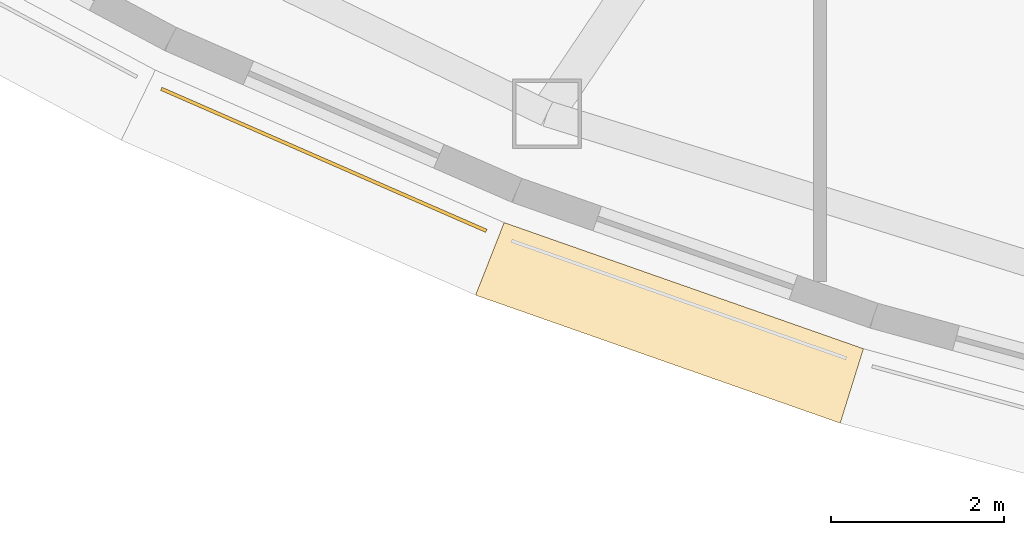
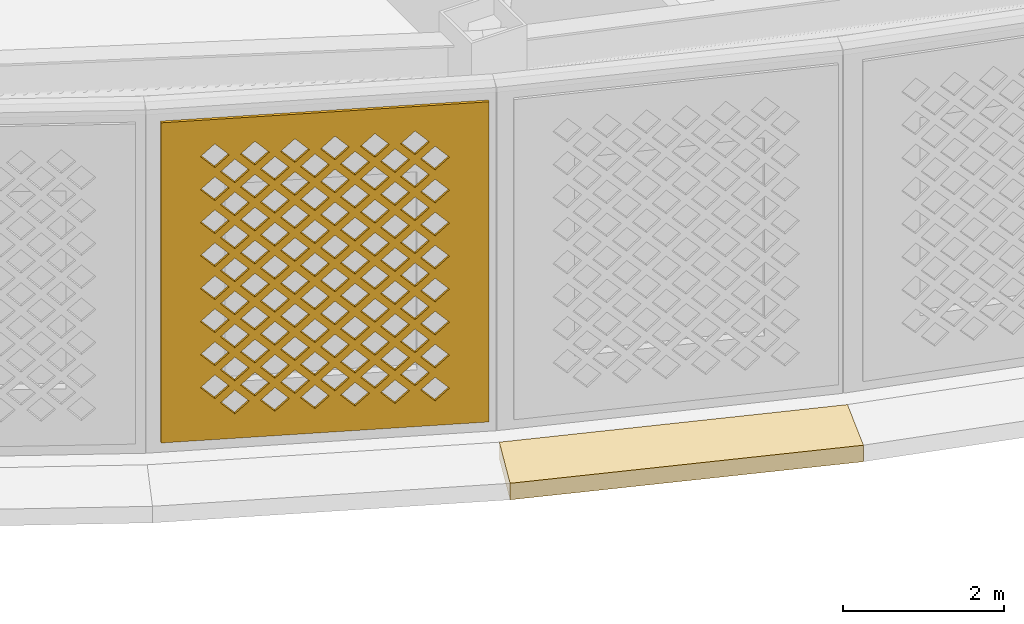
# One storey, part 41 of 63: 2 coverings.
"""IFC4 building model written with IfcOpenShell, lengths in metres."""

import ifcopenshell
import ifcopenshell.guid

model = None  # the IFC model being written
_history = None  # IfcOwnerHistory: only IFC2X3 demands one
_inside = {}  # id of a spatial element -> (the spatial element, [elements in it])
_under = {}  # id of a project, library or spatial element -> (it, [spatial elements below it])
_declared = {}  # id of a project -> (the project, [libraries it declares])
_typed = {}  # id of a type object -> (the type object, [elements of that type])
_made_of = {}  # id of a material, layer set ... -> (it, [elements and type objects made of it])


def new_model(schema):
    """Start an empty IFC model of exactly this schema.

    Asked for "IFC4X3", IfcOpenShell would pick the latest addendum, in which some entities
    have other attributes; the version numbers below select the first issue.
    IFC2X3 requires an IfcOwnerHistory on every rooted entity: one is made here for all.
    """
    global model, _history
    if schema == "IFC4X3":
        model = ifcopenshell.file(schema_version=(4, 3, 0, 0))
    else:
        model = ifcopenshell.file(schema=schema)
    _inside.clear()
    _under.clear()
    _declared.clear()
    _typed.clear()
    _made_of.clear()
    _history = None
    if model.schema == "IFC2X3":
        org = make("IfcOrganization", Name="unknown")
        user = make(
            "IfcPersonAndOrganization",
            ThePerson=make("IfcPerson", FamilyName="unknown"),
            TheOrganization=org,
        )
        app = make(
            "IfcApplication",
            ApplicationDeveloper=org,
            Version="unknown",
            ApplicationFullName="unknown",
            ApplicationIdentifier="unknown",
        )
        _history = make(
            "IfcOwnerHistory",
            OwningUser=user,
            OwningApplication=app,
            ChangeAction="ADDED",
            CreationDate=0,
        )
    return model


def make(cls, **values):
    """One entity of the class cls with the attributes given. An attribute that is None is left unset."""
    return model.create_entity(
        cls, **{name: value for name, value in values.items() if value is not None}
    )


def rooted(cls, **values):
    """An entity with a GlobalId (a new one), such as an element, a storey or a relation."""
    return make(cls, GlobalId=ifcopenshell.guid.new(), OwnerHistory=_history, **values)


def si_unit(unit_type, name, prefix=None):
    """IfcSIUnit, for example si_unit("LENGTHUNIT", "METRE", prefix="MILLI")."""
    return make("IfcSIUnit", UnitType=unit_type, Prefix=prefix, Name=name)


def assignment(units):
    """IfcUnitAssignment: the units of a project."""
    return None if units is None else make("IfcUnitAssignment", Units=units)


def point(xyz):
    """IfcCartesianPoint."""
    return None if xyz is None else make("IfcCartesianPoint", Coordinates=xyz)


def direction(xyz):
    """IfcDirection."""
    return None if xyz is None else make("IfcDirection", DirectionRatios=xyz)


def frame(location, z_axis=None, x_axis=None):
    """IfcAxis2Placement3D, a coordinate frame: its origin and axes. An axis left out is left unset."""
    return make(
        "IfcAxis2Placement3D",
        Location=point(location),
        Axis=direction(z_axis),
        RefDirection=direction(x_axis),
    )


def origin():
    """The frame at (0, 0, 0) with its axes left unset."""
    return frame((0.0, 0.0, 0.0))


def place(relative_to, where):
    """IfcLocalPlacement: puts the frame where relative to a parent placement (None: the world)."""
    return make(
        "IfcLocalPlacement", PlacementRelTo=relative_to, RelativePlacement=where
    )


def context(
    kind, dimensions, precision=None, world=None, true_north=None, identifier=None
):
    """IfcGeometricRepresentationContext, for example the 3D "Model" context."""
    return make(
        "IfcGeometricRepresentationContext",
        ContextIdentifier=identifier,
        ContextType=kind,
        CoordinateSpaceDimension=dimensions,
        Precision=precision,
        WorldCoordinateSystem=world,
        TrueNorth=true_north,
    )


def subcontext(parent, identifier, kind, view, scale=None):
    """IfcGeometricRepresentationSubContext, for example "Body" below "Model"."""
    return make(
        "IfcGeometricRepresentationSubContext",
        ContextIdentifier=identifier,
        ContextType=kind,
        ParentContext=parent,
        TargetScale=scale,
        TargetView=view,
    )


def project(units=None, contexts=None):
    """IfcProject with its units and contexts."""
    return rooted(
        "IfcProject",
        Name="project",
        RepresentationContexts=contexts,
        UnitsInContext=assignment(units),
    )


def spatial(cls, under=None, at=None, **own):
    """A site, building, storey or space (cls), placed at a placement, below another one or the project."""
    s = rooted(cls, ObjectPlacement=at, **own)
    if under is not None:
        _under.setdefault(under.id(), (under, []))[1].append(s)
    return s


def polyline(points):
    """IfcPolyline through the points."""
    return make("IfcPolyline", Points=[point(p) for p in points])


def outline(outer, holes=None, kind="AREA"):
    """IfcArbitraryClosedProfileDef: a profile drawn as a closed curve; with holes, ...WithVoids."""
    if holes is None:
        return make("IfcArbitraryClosedProfileDef", ProfileType=kind, OuterCurve=outer)
    return make(
        "IfcArbitraryProfileDefWithVoids",
        ProfileType=kind,
        OuterCurve=outer,
        InnerCurves=holes,
    )


def extrude(swept, where, along, depth):
    """IfcExtrudedAreaSolid: the profile swept, set in the frame where, extruded along a direction by depth."""
    return make(
        "IfcExtrudedAreaSolid",
        SweptArea=swept,
        Position=where,
        ExtrudedDirection=direction(along),
        Depth=depth,
    )


def shape(context_of_items, identifier, shape_type, items):
    """IfcShapeRepresentation: the items that make up one representation, for example the "Body"."""
    return make(
        "IfcShapeRepresentation",
        ContextOfItems=context_of_items,
        RepresentationIdentifier=identifier,
        RepresentationType=shape_type,
        Items=items,
    )


def material(Name=None, Category=None):
    """IfcMaterial."""
    return make("IfcMaterial", Name=Name, Category=Category)


def layer(
    of_material, thickness, ventilated=None, Name=None, Category=None, Priority=None
):
    """IfcMaterialLayer: one layer of a wall or slab, of a material (None: an air gap)."""
    return make(
        "IfcMaterialLayer",
        Material=of_material,
        LayerThickness=thickness,
        IsVentilated=ventilated,
        Name=Name,
        Category=Category,
        Priority=Priority,
    )


def layer_set(layers, Name=None):
    """IfcMaterialLayerSet."""
    return make("IfcMaterialLayerSet", MaterialLayers=layers, LayerSetName=Name)


def made_of(thing, what):
    """Note that an element or type object is made of a material, layer set ...; save() writes the relation."""
    if what is not None:
        _made_of.setdefault(what.id(), (what, []))[1].append(thing)
    return thing


def type_object(cls, material=None, **own):
    """A type object (cls), such as IfcWallType, which elements share."""
    return made_of(rooted(cls, **own), material)


def element(
    cls,
    number,
    at=None,
    inside=None,
    cuts=None,
    type_object=None,
    material=None,
    context=None,
    identifier="Body",
    shape_type=None,
    held_by="IfcProductDefinitionShape",
    body=None,
    shapes=None,
    **own,
):
    """One element of the class cls, such as IfcWall. Its Tag is "e" and its number.

    at: its placement. inside: the storey or other place that contains it. cuts: it is an
    opening in that element (IfcRelVoidsElement). A single representation is given by context,
    identifier, shape_type and body (its items); several are given by shapes. held_by: the class
    of the entity that holds the representations. save() writes the other relations.
    """
    e = rooted(cls, Tag="e%d" % number, ObjectPlacement=at, **own)
    if body is not None:
        shapes = [shape(context, identifier, shape_type, body)]
    if shapes is not None:
        e.Representation = make(held_by, Representations=shapes)
    if inside is not None:
        _inside.setdefault(inside.id(), (inside, []))[1].append(e)
    if cuts is not None:
        rooted(
            "IfcRelVoidsElement", RelatingBuildingElement=cuts, RelatedOpeningElement=e
        )
    if type_object is not None:
        _typed.setdefault(type_object.id(), (type_object, []))[1].append(e)
    return made_of(e, material)


def aggregate(whole, parts):
    """IfcRelAggregates: a whole, such as a stair, and the parts it consists of."""
    return rooted("IfcRelAggregates", RelatingObject=whole, RelatedObjects=parts)


def save(model, path):
    """Write the relations noted so far, then the file.

    IfcRelAggregates (storeys below a building ...), IfcRelContainedInSpatialStructure (elements
    in a storey), IfcRelDefinesByType, IfcRelAssociatesMaterial and IfcRelDeclares: one each for
    every whole, place, type object, material and project.
    """
    for whole, parts in _under.values():
        aggregate(whole, parts)
    for where, things in _inside.values():
        rooted(
            "IfcRelContainedInSpatialStructure",
            RelatedElements=things,
            RelatingStructure=where,
        )
    for kind, things in _typed.values():
        rooted("IfcRelDefinesByType", RelatedObjects=things, RelatingType=kind)
    for what, things in _made_of.values():
        rooted("IfcRelAssociatesMaterial", RelatedObjects=things, RelatingMaterial=what)
    for by, libraries in _declared.values():
        rooted("IfcRelDeclares", RelatingContext=by, RelatedDefinitions=libraries)
    model.write(path)


model = new_model("IFC4")

# Units and contexts
model_context = context("Model", 3, precision=1e-05, world=origin(), true_north=direction((0.0, 1.0)))
body_context = subcontext(model_context, "Body", "Model", "MODEL_VIEW")
ifc_project = project(units=[si_unit("LENGTHUNIT", "METRE"), si_unit("AREAUNIT", "SQUARE_METRE"), si_unit("VOLUMEUNIT", "CUBIC_METRE"), si_unit("PLANEANGLEUNIT", "RADIAN"), si_unit("MASSUNIT", "GRAM", prefix="KILO")], contexts=[model_context])

# Site, building, storey
site_placement = place(None, origin())
site = spatial("IfcSite", under=ifc_project, at=site_placement, CompositionType="ELEMENT")
building_placement = place(site_placement, origin())
building = spatial("IfcBuilding", under=site, at=building_placement, Name="Noorbagh Ring Tower", CompositionType="ELEMENT")
storey_placement = place(building_placement, frame((0.0, 0.0, 25.0)))
storey = spatial("IfcBuildingStorey", under=building, at=storey_placement, Name="L04", CompositionType="ELEMENT", Elevation=25.0)

# Coverings
ifc_material_1 = material(Name="Red sandstone eave", Category="masonry")
covering_type_1 = type_object("IfcCoveringType", Name="STY-CHHAJJA", PredefinedType="USERDEFINED", material=ifc_material_1)
covering_1_placement = place(storey_placement, frame((0.0, 0.0, -0.25)))
element("IfcCovering", 1, at=covering_1_placement, inside=storey, type_object=covering_type_1, Name="Chhajja eave", ObjectType="CHHAJJA", PredefinedType="USERDEFINED", context=body_context, shape_type="SweptSolid", body=[
    extrude(outline(polyline([(-23.647216796875, -35.624755859375), (-19.49853515625, -37.081298828125), (-19.7666015625, -37.941162109375), (-23.976806640625, -36.462890625), (-23.647216796875, -35.624755859375)])), origin(), (0.0, 0.0, 1.0), 0.25),
])
ifc_material_2 = material(Name="Red sandstone jali", Category="masonry")
ifc_layer = layer(ifc_material_2, 0.0400390625)
ifc_layer_set = layer_set([ifc_layer], Name="Red sandstone jali")
covering_type_2 = type_object("IfcCoveringType", Name="STY-JALI", PredefinedType="USERDEFINED", material=ifc_layer_set)
covering_2_placement = place(storey_placement, frame((-27.614501953125, -34.09814453125, 0.449951171875), z_axis=(-0.400468668207, -0.916310452731, 0.0), x_axis=(0.916310452731, -0.400468668207, 0.0)))
element("IfcCovering", 2, at=covering_2_placement, inside=storey, type_object=covering_type_2, Name="Jali screen", ObjectType="SCREEN", PredefinedType="USERDEFINED", context=body_context, shape_type="SweptSolid", body=[
    extrude(outline(polyline([(0.0, 0.0), (4.0966796875, 0.0), (4.0966796875, 4.85009765625), (0.0, 4.85009765625), (0.0, 0.0)]), holes=[polyline([(0.743408203125, 0.550048828125), (0.92333984375, 0.3701171875), (1.103515625, 0.550048828125), (0.92333984375, 0.72998046875), (0.743408203125, 0.550048828125)]), polyline([(1.243408203125, 0.550048828125), (1.42333984375, 0.3701171875), (1.603515625, 0.550048828125), (1.42333984375, 0.72998046875), (1.243408203125, 0.550048828125)]), polyline([(1.743408203125, 0.550048828125), (1.92333984375, 0.3701171875), (2.103515625, 0.550048828125), (1.92333984375, 0.72998046875), (1.743408203125, 0.550048828125)]), polyline([(2.243408203125, 0.550048828125), (2.42333984375, 0.3701171875), (2.603515625, 0.550048828125), (2.42333984375, 0.72998046875), (2.243408203125, 0.550048828125)]), polyline([(2.743408203125, 0.550048828125), (2.92333984375, 0.3701171875), (3.103515625, 0.550048828125), (2.92333984375, 0.72998046875), (2.743408203125, 0.550048828125)]), polyline([(3.243408203125, 0.550048828125), (3.42333984375, 0.3701171875), (3.603515625, 0.550048828125), (3.42333984375, 0.72998046875), (3.243408203125, 0.550048828125)]), polyline([(0.493408203125, 0.800048828125), (0.67333984375, 0.6201171875), (0.853515625, 0.800048828125), (0.67333984375, 0.97998046875), (0.493408203125, 0.800048828125)]), polyline([(0.993408203125, 0.800048828125), (1.17333984375, 0.6201171875), (1.353515625, 0.800048828125), (1.17333984375, 0.97998046875), (0.993408203125, 0.800048828125)]), polyline([(1.493408203125, 0.800048828125), (1.67333984375, 0.6201171875), (1.853515625, 0.800048828125), (1.67333984375, 0.97998046875), (1.493408203125, 0.800048828125)]), polyline([(1.993408203125, 0.800048828125), (2.17333984375, 0.6201171875), (2.353515625, 0.800048828125), (2.17333984375, 0.97998046875), (1.993408203125, 0.800048828125)]), polyline([(2.493408203125, 0.800048828125), (2.67333984375, 0.6201171875), (2.853515625, 0.800048828125), (2.67333984375, 0.97998046875), (2.493408203125, 0.800048828125)]), polyline([(2.993408203125, 0.800048828125), (3.17333984375, 0.6201171875), (3.353515625, 0.800048828125), (3.17333984375, 0.97998046875), (2.993408203125, 0.800048828125)]), polyline([(0.743408203125, 1.050048828125), (0.92333984375, 0.8701171875), (1.103515625, 1.050048828125), (0.92333984375, 1.22998046875), (0.743408203125, 1.050048828125)]), polyline([(1.243408203125, 1.050048828125), (1.42333984375, 0.8701171875), (1.603515625, 1.050048828125), (1.42333984375, 1.22998046875), (1.243408203125, 1.050048828125)]), polyline([(1.743408203125, 1.050048828125), (1.92333984375, 0.8701171875), (2.103515625, 1.050048828125), (1.92333984375, 1.22998046875), (1.743408203125, 1.050048828125)]), polyline([(2.243408203125, 1.050048828125), (2.42333984375, 0.8701171875), (2.603515625, 1.050048828125), (2.42333984375, 1.22998046875), (2.243408203125, 1.050048828125)]), polyline([(2.743408203125, 1.050048828125), (2.92333984375, 0.8701171875), (3.103515625, 1.050048828125), (2.92333984375, 1.22998046875), (2.743408203125, 1.050048828125)]), polyline([(3.243408203125, 1.050048828125), (3.42333984375, 0.8701171875), (3.603515625, 1.050048828125), (3.42333984375, 1.22998046875), (3.243408203125, 1.050048828125)]), polyline([(0.493408203125, 1.300048828125), (0.67333984375, 1.1201171875), (0.853515625, 1.300048828125), (0.67333984375, 1.47998046875), (0.493408203125, 1.300048828125)]), polyline([(0.993408203125, 1.300048828125), (1.17333984375, 1.1201171875), (1.353515625, 1.300048828125), (1.17333984375, 1.47998046875), (0.993408203125, 1.300048828125)]), polyline([(1.493408203125, 1.300048828125), (1.67333984375, 1.1201171875), (1.853515625, 1.300048828125), (1.67333984375, 1.47998046875), (1.493408203125, 1.300048828125)]), polyline([(1.993408203125, 1.300048828125), (2.17333984375, 1.1201171875), (2.353515625, 1.300048828125), (2.17333984375, 1.47998046875), (1.993408203125, 1.300048828125)]), polyline([(2.493408203125, 1.300048828125), (2.67333984375, 1.1201171875), (2.853515625, 1.300048828125), (2.67333984375, 1.47998046875), (2.493408203125, 1.300048828125)]), polyline([(2.993408203125, 1.300048828125), (3.17333984375, 1.1201171875), (3.353515625, 1.300048828125), (3.17333984375, 1.47998046875), (2.993408203125, 1.300048828125)]), polyline([(0.743408203125, 1.550048828125), (0.92333984375, 1.3701171875), (1.103515625, 1.550048828125), (0.92333984375, 1.72998046875), (0.743408203125, 1.550048828125)]), polyline([(1.243408203125, 1.550048828125), (1.42333984375, 1.3701171875), (1.603515625, 1.550048828125), (1.42333984375, 1.72998046875), (1.243408203125, 1.550048828125)]), polyline([(1.743408203125, 1.550048828125), (1.92333984375, 1.3701171875), (2.103515625, 1.550048828125), (1.92333984375, 1.72998046875), (1.743408203125, 1.550048828125)]), polyline([(2.243408203125, 1.550048828125), (2.42333984375, 1.3701171875), (2.603515625, 1.550048828125), (2.42333984375, 1.72998046875), (2.243408203125, 1.550048828125)]), polyline([(2.743408203125, 1.550048828125), (2.92333984375, 1.3701171875), (3.103515625, 1.550048828125), (2.92333984375, 1.72998046875), (2.743408203125, 1.550048828125)]), polyline([(3.243408203125, 1.550048828125), (3.42333984375, 1.3701171875), (3.603515625, 1.550048828125), (3.42333984375, 1.72998046875), (3.243408203125, 1.550048828125)]), polyline([(0.493408203125, 1.800048828125), (0.67333984375, 1.6201171875), (0.853515625, 1.800048828125), (0.67333984375, 1.97998046875), (0.493408203125, 1.800048828125)]), polyline([(0.993408203125, 1.800048828125), (1.17333984375, 1.6201171875), (1.353515625, 1.800048828125), (1.17333984375, 1.97998046875), (0.993408203125, 1.800048828125)]), polyline([(1.493408203125, 1.800048828125), (1.67333984375, 1.6201171875), (1.853515625, 1.800048828125), (1.67333984375, 1.97998046875), (1.493408203125, 1.800048828125)]), polyline([(1.993408203125, 1.800048828125), (2.17333984375, 1.6201171875), (2.353515625, 1.800048828125), (2.17333984375, 1.97998046875), (1.993408203125, 1.800048828125)]), polyline([(2.493408203125, 1.800048828125), (2.67333984375, 1.6201171875), (2.853515625, 1.800048828125), (2.67333984375, 1.97998046875), (2.493408203125, 1.800048828125)]), polyline([(2.993408203125, 1.800048828125), (3.17333984375, 1.6201171875), (3.353515625, 1.800048828125), (3.17333984375, 1.97998046875), (2.993408203125, 1.800048828125)]), polyline([(0.743408203125, 2.050048828125), (0.92333984375, 1.8701171875), (1.103515625, 2.050048828125), (0.92333984375, 2.22998046875), (0.743408203125, 2.050048828125)]), polyline([(1.243408203125, 2.050048828125), (1.42333984375, 1.8701171875), (1.603515625, 2.050048828125), (1.42333984375, 2.22998046875), (1.243408203125, 2.050048828125)]), polyline([(1.743408203125, 2.050048828125), (1.92333984375, 1.8701171875), (2.103515625, 2.050048828125), (1.92333984375, 2.22998046875), (1.743408203125, 2.050048828125)]), polyline([(2.243408203125, 2.050048828125), (2.42333984375, 1.8701171875), (2.603515625, 2.050048828125), (2.42333984375, 2.22998046875), (2.243408203125, 2.050048828125)]), polyline([(2.743408203125, 2.050048828125), (2.92333984375, 1.8701171875), (3.103515625, 2.050048828125), (2.92333984375, 2.22998046875), (2.743408203125, 2.050048828125)]), polyline([(3.243408203125, 2.050048828125), (3.42333984375, 1.8701171875), (3.603515625, 2.050048828125), (3.42333984375, 2.22998046875), (3.243408203125, 2.050048828125)]), polyline([(0.493408203125, 2.300048828125), (0.67333984375, 2.1201171875), (0.853515625, 2.300048828125), (0.67333984375, 2.47998046875), (0.493408203125, 2.300048828125)]), polyline([(0.993408203125, 2.300048828125), (1.17333984375, 2.1201171875), (1.353515625, 2.300048828125), (1.17333984375, 2.47998046875), (0.993408203125, 2.300048828125)]), polyline([(1.493408203125, 2.300048828125), (1.67333984375, 2.1201171875), (1.853515625, 2.300048828125), (1.67333984375, 2.47998046875), (1.493408203125, 2.300048828125)]), polyline([(1.993408203125, 2.300048828125), (2.17333984375, 2.1201171875), (2.353515625, 2.300048828125), (2.17333984375, 2.47998046875), (1.993408203125, 2.300048828125)]), polyline([(2.493408203125, 2.300048828125), (2.67333984375, 2.1201171875), (2.853515625, 2.300048828125), (2.67333984375, 2.47998046875), (2.493408203125, 2.300048828125)]), polyline([(2.993408203125, 2.300048828125), (3.17333984375, 2.1201171875), (3.353515625, 2.300048828125), (3.17333984375, 2.47998046875), (2.993408203125, 2.300048828125)]), polyline([(0.743408203125, 2.550048828125), (0.92333984375, 2.3701171875), (1.103515625, 2.550048828125), (0.92333984375, 2.72998046875), (0.743408203125, 2.550048828125)]), polyline([(1.243408203125, 2.550048828125), (1.42333984375, 2.3701171875), (1.603515625, 2.550048828125), (1.42333984375, 2.72998046875), (1.243408203125, 2.550048828125)]), polyline([(1.743408203125, 2.550048828125), (1.92333984375, 2.3701171875), (2.103515625, 2.550048828125), (1.92333984375, 2.72998046875), (1.743408203125, 2.550048828125)]), polyline([(2.243408203125, 2.550048828125), (2.42333984375, 2.3701171875), (2.603515625, 2.550048828125), (2.42333984375, 2.72998046875), (2.243408203125, 2.550048828125)]), polyline([(2.743408203125, 2.550048828125), (2.92333984375, 2.3701171875), (3.103515625, 2.550048828125), (2.92333984375, 2.72998046875), (2.743408203125, 2.550048828125)]), polyline([(3.243408203125, 2.550048828125), (3.42333984375, 2.3701171875), (3.603515625, 2.550048828125), (3.42333984375, 2.72998046875), (3.243408203125, 2.550048828125)]), polyline([(0.493408203125, 2.800048828125), (0.67333984375, 2.6201171875), (0.853515625, 2.800048828125), (0.67333984375, 2.97998046875), (0.493408203125, 2.800048828125)]), polyline([(0.993408203125, 2.800048828125), (1.17333984375, 2.6201171875), (1.353515625, 2.800048828125), (1.17333984375, 2.97998046875), (0.993408203125, 2.800048828125)]), polyline([(1.493408203125, 2.800048828125), (1.67333984375, 2.6201171875), (1.853515625, 2.800048828125), (1.67333984375, 2.97998046875), (1.493408203125, 2.800048828125)]), polyline([(1.993408203125, 2.800048828125), (2.17333984375, 2.6201171875), (2.353515625, 2.800048828125), (2.17333984375, 2.97998046875), (1.993408203125, 2.800048828125)]), polyline([(2.493408203125, 2.800048828125), (2.67333984375, 2.6201171875), (2.853515625, 2.800048828125), (2.67333984375, 2.97998046875), (2.493408203125, 2.800048828125)]), polyline([(2.993408203125, 2.800048828125), (3.17333984375, 2.6201171875), (3.353515625, 2.800048828125), (3.17333984375, 2.97998046875), (2.993408203125, 2.800048828125)]), polyline([(0.743408203125, 3.050048828125), (0.92333984375, 2.8701171875), (1.103515625, 3.050048828125), (0.92333984375, 3.22998046875), (0.743408203125, 3.050048828125)]), polyline([(1.243408203125, 3.050048828125), (1.42333984375, 2.8701171875), (1.603515625, 3.050048828125), (1.42333984375, 3.22998046875), (1.243408203125, 3.050048828125)]), polyline([(1.743408203125, 3.050048828125), (1.92333984375, 2.8701171875), (2.103515625, 3.050048828125), (1.92333984375, 3.22998046875), (1.743408203125, 3.050048828125)]), polyline([(2.243408203125, 3.050048828125), (2.42333984375, 2.8701171875), (2.603515625, 3.050048828125), (2.42333984375, 3.22998046875), (2.243408203125, 3.050048828125)]), polyline([(2.743408203125, 3.050048828125), (2.92333984375, 2.8701171875), (3.103515625, 3.050048828125), (2.92333984375, 3.22998046875), (2.743408203125, 3.050048828125)]), polyline([(3.243408203125, 3.050048828125), (3.42333984375, 2.8701171875), (3.603515625, 3.050048828125), (3.42333984375, 3.22998046875), (3.243408203125, 3.050048828125)]), polyline([(0.493408203125, 3.300048828125), (0.67333984375, 3.1201171875), (0.853515625, 3.300048828125), (0.67333984375, 3.47998046875), (0.493408203125, 3.300048828125)]), polyline([(0.993408203125, 3.300048828125), (1.17333984375, 3.1201171875), (1.353515625, 3.300048828125), (1.17333984375, 3.47998046875), (0.993408203125, 3.300048828125)]), polyline([(1.493408203125, 3.300048828125), (1.67333984375, 3.1201171875), (1.853515625, 3.300048828125), (1.67333984375, 3.47998046875), (1.493408203125, 3.300048828125)]), polyline([(1.993408203125, 3.300048828125), (2.17333984375, 3.1201171875), (2.353515625, 3.300048828125), (2.17333984375, 3.47998046875), (1.993408203125, 3.300048828125)]), polyline([(2.493408203125, 3.300048828125), (2.67333984375, 3.1201171875), (2.853515625, 3.300048828125), (2.67333984375, 3.47998046875), (2.493408203125, 3.300048828125)]), polyline([(2.993408203125, 3.300048828125), (3.17333984375, 3.1201171875), (3.353515625, 3.300048828125), (3.17333984375, 3.47998046875), (2.993408203125, 3.300048828125)]), polyline([(0.743408203125, 3.550048828125), (0.92333984375, 3.3701171875), (1.103515625, 3.550048828125), (0.92333984375, 3.72998046875), (0.743408203125, 3.550048828125)]), polyline([(1.243408203125, 3.550048828125), (1.42333984375, 3.3701171875), (1.603515625, 3.550048828125), (1.42333984375, 3.72998046875), (1.243408203125, 3.550048828125)]), polyline([(1.743408203125, 3.550048828125), (1.92333984375, 3.3701171875), (2.103515625, 3.550048828125), (1.92333984375, 3.72998046875), (1.743408203125, 3.550048828125)]), polyline([(2.243408203125, 3.550048828125), (2.42333984375, 3.3701171875), (2.603515625, 3.550048828125), (2.42333984375, 3.72998046875), (2.243408203125, 3.550048828125)]), polyline([(2.743408203125, 3.550048828125), (2.92333984375, 3.3701171875), (3.103515625, 3.550048828125), (2.92333984375, 3.72998046875), (2.743408203125, 3.550048828125)]), polyline([(3.243408203125, 3.550048828125), (3.42333984375, 3.3701171875), (3.603515625, 3.550048828125), (3.42333984375, 3.72998046875), (3.243408203125, 3.550048828125)]), polyline([(0.493408203125, 3.800048828125), (0.67333984375, 3.6201171875), (0.853515625, 3.800048828125), (0.67333984375, 3.97998046875), (0.493408203125, 3.800048828125)]), polyline([(0.993408203125, 3.800048828125), (1.17333984375, 3.6201171875), (1.353515625, 3.800048828125), (1.17333984375, 3.97998046875), (0.993408203125, 3.800048828125)]), polyline([(1.493408203125, 3.800048828125), (1.67333984375, 3.6201171875), (1.853515625, 3.800048828125), (1.67333984375, 3.97998046875), (1.493408203125, 3.800048828125)]), polyline([(1.993408203125, 3.800048828125), (2.17333984375, 3.6201171875), (2.353515625, 3.800048828125), (2.17333984375, 3.97998046875), (1.993408203125, 3.800048828125)]), polyline([(2.493408203125, 3.800048828125), (2.67333984375, 3.6201171875), (2.853515625, 3.800048828125), (2.67333984375, 3.97998046875), (2.493408203125, 3.800048828125)]), polyline([(2.993408203125, 3.800048828125), (3.17333984375, 3.6201171875), (3.353515625, 3.800048828125), (3.17333984375, 3.97998046875), (2.993408203125, 3.800048828125)]), polyline([(0.743408203125, 4.050048828125), (0.92333984375, 3.8701171875), (1.103515625, 4.050048828125), (0.92333984375, 4.22998046875), (0.743408203125, 4.050048828125)]), polyline([(1.243408203125, 4.050048828125), (1.42333984375, 3.8701171875), (1.603515625, 4.050048828125), (1.42333984375, 4.22998046875), (1.243408203125, 4.050048828125)]), polyline([(1.743408203125, 4.050048828125), (1.92333984375, 3.8701171875), (2.103515625, 4.050048828125), (1.92333984375, 4.22998046875), (1.743408203125, 4.050048828125)]), polyline([(2.243408203125, 4.050048828125), (2.42333984375, 3.8701171875), (2.603515625, 4.050048828125), (2.42333984375, 4.22998046875), (2.243408203125, 4.050048828125)]), polyline([(2.743408203125, 4.050048828125), (2.92333984375, 3.8701171875), (3.103515625, 4.050048828125), (2.92333984375, 4.22998046875), (2.743408203125, 4.050048828125)]), polyline([(3.243408203125, 4.050048828125), (3.42333984375, 3.8701171875), (3.603515625, 4.050048828125), (3.42333984375, 4.22998046875), (3.243408203125, 4.050048828125)]), polyline([(0.493408203125, 4.300048828125), (0.67333984375, 4.1201171875), (0.853515625, 4.300048828125), (0.67333984375, 4.47998046875), (0.493408203125, 4.300048828125)]), polyline([(0.993408203125, 4.300048828125), (1.17333984375, 4.1201171875), (1.353515625, 4.300048828125), (1.17333984375, 4.47998046875), (0.993408203125, 4.300048828125)]), polyline([(1.493408203125, 4.300048828125), (1.67333984375, 4.1201171875), (1.853515625, 4.300048828125), (1.67333984375, 4.47998046875), (1.493408203125, 4.300048828125)]), polyline([(1.993408203125, 4.300048828125), (2.17333984375, 4.1201171875), (2.353515625, 4.300048828125), (2.17333984375, 4.47998046875), (1.993408203125, 4.300048828125)]), polyline([(2.493408203125, 4.300048828125), (2.67333984375, 4.1201171875), (2.853515625, 4.300048828125), (2.67333984375, 4.47998046875), (2.493408203125, 4.300048828125)]), polyline([(2.993408203125, 4.300048828125), (3.17333984375, 4.1201171875), (3.353515625, 4.300048828125), (3.17333984375, 4.47998046875), (2.993408203125, 4.300048828125)])]), origin(), (0.0, 0.0, -1.0), 0.0400390625),
])

save(model, "model.ifc")
